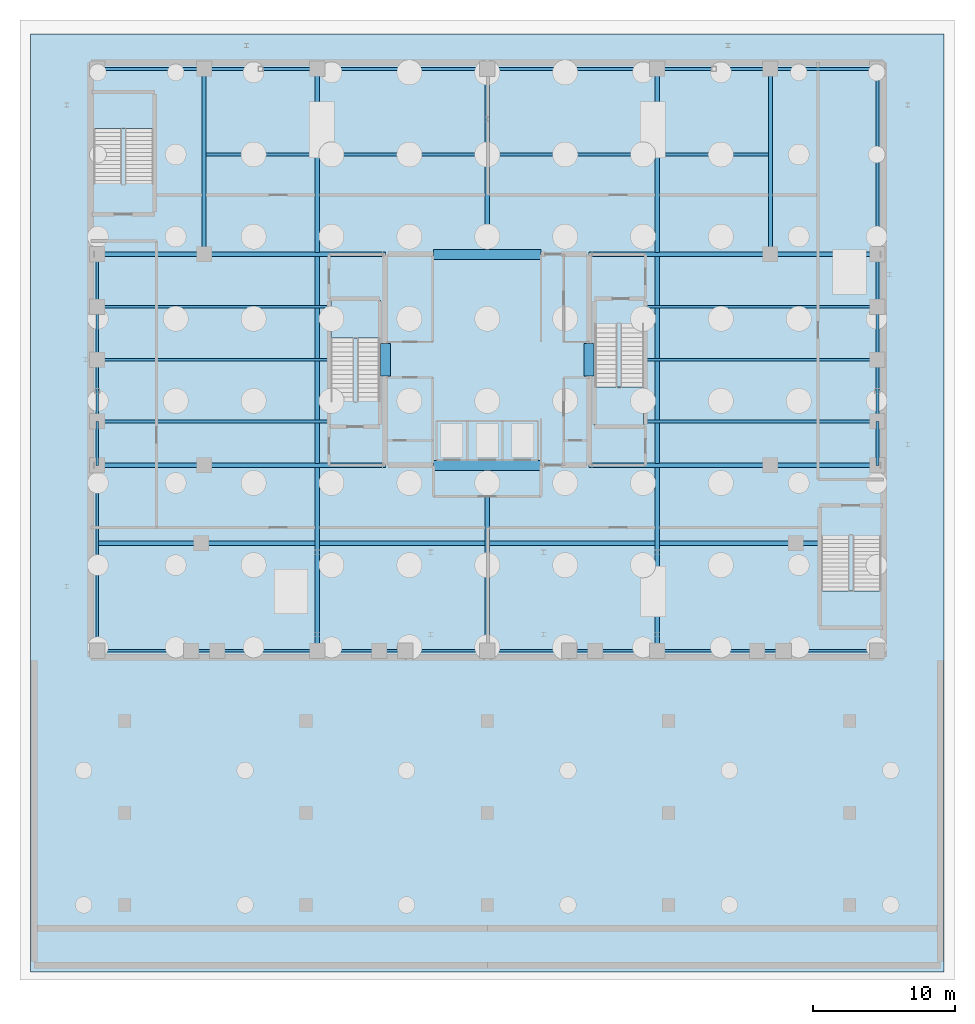
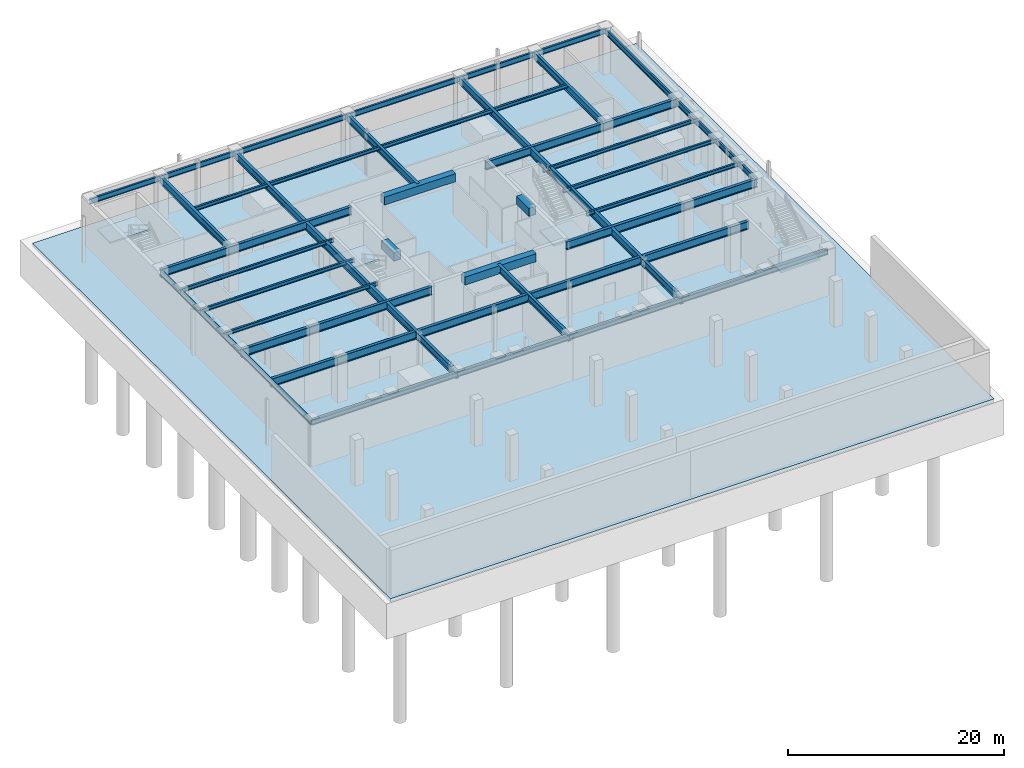
# One storey, part 8 of 18: 46 beams, 5 slabs, 4 elements without a shape of their own.
"""IFC4 building model written with IfcOpenShell, lengths in metres."""

from ifc_helpers import new_model, si_unit, direction, frame, origin, origin_2d, place, context, subcontext, project, spatial, polyline, rectangle, i_section, outline, extrude, material, layer, layer_set, material_profile, profile_set, type_object, element, aggregate, save


model = new_model("IFC4")

# Units and contexts
model_context = context("Model", 3, precision=1e-05, world=origin(), true_north=direction((0.0, 1.0)))
body_context = subcontext(model_context, "Body", "Model", "MODEL_VIEW")
ifc_project = project(units=[si_unit("LENGTHUNIT", "METRE"), si_unit("AREAUNIT", "SQUARE_METRE"), si_unit("VOLUMEUNIT", "CUBIC_METRE"), si_unit("PLANEANGLEUNIT", "RADIAN"), si_unit("MASSUNIT", "GRAM", prefix="KILO")], contexts=[model_context])

# Site, building, storey
site_placement = place(None, origin())
site = spatial("IfcSite", under=ifc_project, at=site_placement, CompositionType="ELEMENT")
building_placement = place(site_placement, origin())
building = spatial("IfcBuilding", under=site, at=building_placement, Name="Veldorina Hangang Commons", CompositionType="ELEMENT")
storey_placement = place(building_placement, frame((0.0, 0.0, -10.39990234375)))
storey = spatial("IfcBuildingStorey", under=building, at=storey_placement, Name="B02", CompositionType="ELEMENT", Elevation=-10.39990234375)

# Beams
ifc_material_1 = material(Name="Concrete C70/85", Category="concrete")
ifc_material_profile_1 = material_profile(ifc_material_1, rectangle(XDim=0.699951171875, YDim=0.89990234375, at=origin_2d()), Name="RC-CB-700x900")
ifc_profile_set_1 = profile_set([ifc_material_profile_1], Name="Concrete C70/85")
beam_type_1 = type_object("IfcBeamType", Name="BM-CB900", PredefinedType="LINTEL", material=ifc_profile_set_1)
for number, where, z_axis, x_axis, name in (
    (1, (24.800048828125, 22.85009765625, 4.429931640625), (0.0, 1.0, 0.0), (-1.0, 0.0, 0.0), "B02 W core coupling lintel beam"),
    (2, (39.199951171875, 22.85009765625, 4.429931640625), (0.0, 1.0, 0.0), (-1.0, 0.0, 0.0), "B02 E core coupling lintel beam"),
):
    element("IfcBeam", number, at=place(storey_placement, frame(where, z_axis=z_axis, x_axis=x_axis)), inside=storey, type_object=beam_type_1, Name=name, PredefinedType="LINTEL", context=body_context, shape_type="SweptSolid", body=[
        extrude(rectangle(XDim=0.699951171875, YDim=0.89990234375, at=origin_2d()), origin(), (0.0, 0.0, 1.0), 2.2998046875),
    ])
for number, where, z_axis, x_axis, name in (
    (3, (28.199951171875, 16.550048828125, 4.429931640625), (1.0, 0.0, 0.0), (0.0, 1.0, 0.0), "B02 south core coupling beam"),
    (4, (28.199951171875, 31.449951171875, 4.429931640625), (1.0, 0.0, 0.0), (0.0, 1.0, 0.0), "B02 north core coupling beam"),
):
    element("IfcBeam", number, at=place(storey_placement, frame(where, z_axis=z_axis, x_axis=x_axis)), inside=storey, type_object=beam_type_1, Name=name, PredefinedType="LINTEL", context=body_context, shape_type="SweptSolid", body=[
        extrude(rectangle(XDim=0.699951171875, YDim=0.89990234375, at=origin_2d()), origin(), (0.0, 0.0, 1.0), 7.60009765625),
    ])
ifc_material_2 = material(Name="Steel SM355-TMC", Category="steel")
ifc_material_profile_2 = material_profile(ifc_material_2, i_section(OverallWidth=0.199951171875, OverallDepth=0.39990234375, WebThickness=0.008056640625, FlangeThickness=0.012939453125, FilletRadius=0.012939453125, at=origin_2d()), Name="H-400x200x8x13")
ifc_profile_set_2 = profile_set([ifc_material_profile_2], Name="Steel SM355-TMC")
beam_type_2 = type_object("IfcBeamType", Name="BM-JST400", PredefinedType="JOIST", material=ifc_profile_set_2)
for number, where, z_axis, x_axis, name in (
    (5, (4.449951171875, 19.64990234375, 4.679931640625), (1.0, 0.0, 0.0), (0.0, 1.0, 0.0), "B02 west floor joist 1"),
    (6, (43.179931640625, 19.64990234375, 4.679931640625), (1.0, 0.0, 0.0), (0.0, 1.0, 0.0), "B02 east floor joist 1"),
    (7, (4.449951171875, 24.0, 4.679931640625), (1.0, 0.0, 0.0), (0.0, 1.0, 0.0), "B02 west floor joist 2"),
    (8, (43.179931640625, 24.0, 4.679931640625), (1.0, 0.0, 0.0), (0.0, 1.0, 0.0), "B02 east floor joist 2"),
    (9, (4.449951171875, 27.75, 4.679931640625), (1.0, 0.0, 0.0), (0.0, 1.0, 0.0), "B02 west floor joist 3"),
    (10, (43.179931640625, 27.75, 4.679931640625), (1.0, 0.0, 0.0), (0.0, 1.0, 0.0), "B02 east floor joist 3"),
):
    element("IfcBeam", number, at=place(storey_placement, frame(where, z_axis=z_axis, x_axis=x_axis)), inside=storey, type_object=beam_type_2, Name=name, PredefinedType="JOIST", context=body_context, shape_type="SweptSolid", body=[
        extrude(i_section(OverallWidth=0.199951171875, OverallDepth=0.39990234375, WebThickness=0.008056640625, FlangeThickness=0.012939453125, FilletRadius=0.012939453125, at=origin_2d()), origin(), (0.0, 0.0, 1.0), 16.3701171875),
    ])
beam_1_placement = place(storey_placement, frame((12.0, 38.5, 4.679931640625), z_axis=(1.0, 0.0, 0.0), x_axis=(0.0, 1.0, 0.0)))
element("IfcBeam", 11, at=beam_1_placement, inside=storey, type_object=beam_type_2, Name="B02 north floor joist 4", PredefinedType="JOIST", context=body_context, shape_type="SweptSolid", body=[
    extrude(i_section(OverallWidth=0.199951171875, OverallDepth=0.39990234375, WebThickness=0.008056640625, FlangeThickness=0.012939453125, FilletRadius=0.012939453125, at=origin_2d()), origin(), (0.0, 0.0, 1.0), 40.0),
])
ifc_material_3 = material(Name="Steel SM460-TMC", Category="steel")
ifc_material_profile_3 = material_profile(ifc_material_3, i_section(OverallWidth=0.300048828125, OverallDepth=0.800048828125, WebThickness=0.013916015625, FlangeThickness=0.02587890625, FilletRadius=0.02197265625, at=origin_2d()), Name="H-800x300x14x26")
ifc_profile_set_3 = profile_set([ifc_material_profile_3], Name="Steel SM460-TMC")
beam_type_3 = type_object("IfcBeamType", Name="BM-PG800", PredefinedType="BEAM", material=ifc_profile_set_3)
for number, where, z_axis, x_axis, name in (
    (12, (12.0, 31.590087890625, 4.47998046875), (0.0, 1.0, 0.0), (-1.0, 0.0, 0.0), "B02 north primary girder G2"),
    (13, (20.0, 31.590087890625, 4.47998046875), (0.0, 1.0, 0.0), (-1.0, 0.0, 0.0), "B02 north primary girder G3"),
    (14, (20.0, 3.449951171875, 4.47998046875), (0.0, 1.0, 0.0), (-1.0, 0.0, 0.0), "B02 south primary girder G3"),
):
    element("IfcBeam", number, at=place(storey_placement, frame(where, z_axis=z_axis, x_axis=x_axis)), inside=storey, type_object=beam_type_3, Name=name, PredefinedType="BEAM", context=body_context, shape_type="SweptSolid", body=[
        extrude(i_section(OverallWidth=0.300048828125, OverallDepth=0.800048828125, WebThickness=0.013916015625, FlangeThickness=0.02587890625, FilletRadius=0.02197265625, at=origin_2d()), origin(), (0.0, 0.0, 1.0), 12.9599609375),
    ])
for number, where, z_axis, x_axis, name in (
    (15, (32.0, 31.449951171875, 4.47998046875), (0.0, 1.0, 0.0), (-1.0, 0.0, 0.0), "B02 north primary girder G5"),
    (16, (32.0, 3.449951171875, 4.47998046875), (0.0, 1.0, 0.0), (-1.0, 0.0, 0.0), "B02 south primary girder G5"),
):
    element("IfcBeam", number, at=place(storey_placement, frame(where, z_axis=z_axis, x_axis=x_axis)), inside=storey, type_object=beam_type_3, Name=name, PredefinedType="BEAM", context=body_context, shape_type="SweptSolid", body=[
        extrude(i_section(OverallWidth=0.300048828125, OverallDepth=0.800048828125, WebThickness=0.013916015625, FlangeThickness=0.02587890625, FilletRadius=0.02197265625, at=origin_2d()), origin(), (0.0, 0.0, 1.0), 13.10009765625),
    ])
for number, where, z_axis, x_axis, name in (
    (17, (44.0, 31.590087890625, 4.47998046875), (0.0, 1.0, 0.0), (-1.0, 0.0, 0.0), "B02 north primary girder G7"),
    (18, (44.0, 3.449951171875, 4.47998046875), (0.0, 1.0, 0.0), (-1.0, 0.0, 0.0), "B02 south primary girder G7"),
    (19, (52.0, 31.590087890625, 4.47998046875), (0.0, 1.0, 0.0), (-1.0, 0.0, 0.0), "B02 north primary girder G8"),
):
    element("IfcBeam", number, at=place(storey_placement, frame(where, z_axis=z_axis, x_axis=x_axis)), inside=storey, type_object=beam_type_3, Name=name, PredefinedType="BEAM", context=body_context, shape_type="SweptSolid", body=[
        extrude(i_section(OverallWidth=0.300048828125, OverallDepth=0.800048828125, WebThickness=0.013916015625, FlangeThickness=0.02587890625, FilletRadius=0.02197265625, at=origin_2d()), origin(), (0.0, 0.0, 1.0), 12.9599609375),
    ])
ifc_material_profile_4 = material_profile(ifc_material_3, i_section(OverallWidth=0.300048828125, OverallDepth=0.89990234375, WebThickness=0.01611328125, FlangeThickness=0.028076171875, FilletRadius=0.02197265625, at=origin_2d()), Name="H-900x300x16x28")
ifc_profile_set_4 = profile_set([ifc_material_profile_4], Name="Steel SM460-TMC")
beam_type_4 = type_object("IfcBeamType", Name="BM-PG900", PredefinedType="BEAM", material=ifc_profile_set_4)
for number, where, z_axis, x_axis, name in (
    (20, (4.449951171875, 16.550048828125, 4.429931640625), (1.0, 0.0, 0.0), (0.0, 1.0, 0.0), "B02 west collector girder GD"),
    (21, (39.199951171875, 16.550048828125, 4.429931640625), (1.0, 0.0, 0.0), (0.0, 1.0, 0.0), "B02 east collector girder GD"),
    (22, (4.449951171875, 31.449951171875, 4.429931640625), (1.0, 0.0, 0.0), (0.0, 1.0, 0.0), "B02 west collector girder GF"),
    (23, (39.199951171875, 31.449951171875, 4.429931640625), (1.0, 0.0, 0.0), (0.0, 1.0, 0.0), "B02 east collector girder GF"),
):
    element("IfcBeam", number, at=place(storey_placement, frame(where, z_axis=z_axis, x_axis=x_axis)), inside=storey, type_object=beam_type_4, Name=name, PredefinedType="BEAM", context=body_context, shape_type="SweptSolid", body=[
        extrude(i_section(OverallWidth=0.300048828125, OverallDepth=0.89990234375, WebThickness=0.01611328125, FlangeThickness=0.028076171875, FilletRadius=0.02197265625, at=origin_2d()), origin(), (0.0, 0.0, 1.0), 20.35009765625),
    ])
beam_2_placement = place(storey_placement, frame((4.449951171875, 11.050048828125, 4.429931640625), z_axis=(1.0, 0.0, 0.0), x_axis=(0.0, 1.0, 0.0)))
element("IfcBeam", 24, at=beam_2_placement, inside=storey, type_object=beam_type_4, Name="B02 ramp opening header girder", PredefinedType="BEAM", context=body_context, shape_type="SweptSolid", body=[
    extrude(i_section(OverallWidth=0.300048828125, OverallDepth=0.89990234375, WebThickness=0.01611328125, FlangeThickness=0.028076171875, FilletRadius=0.02197265625, at=origin_2d()), origin(), (0.0, 0.0, 1.0), 51.030029296875),
])
for number, where, z_axis, x_axis, name in (
    (25, (20.0, 16.68994140625, 4.429931640625), (0.0, 1.0, 0.0), (-1.0, 0.0, 0.0), "B02 mid primary girder G3"),
    (26, (44.0, 16.68994140625, 4.429931640625), (0.0, 1.0, 0.0), (-1.0, 0.0, 0.0), "B02 mid primary girder G7"),
):
    element("IfcBeam", number, at=place(storey_placement, frame(where, z_axis=z_axis, x_axis=x_axis)), inside=storey, type_object=beam_type_4, Name=name, PredefinedType="BEAM", context=body_context, shape_type="SweptSolid", body=[
        extrude(i_section(OverallWidth=0.300048828125, OverallDepth=0.89990234375, WebThickness=0.01611328125, FlangeThickness=0.028076171875, FilletRadius=0.02197265625, at=origin_2d()), origin(), (0.0, 0.0, 1.0), 14.6201171875),
    ])
ifc_material_4 = material(Name="Steel SM420-TMC", Category="steel")
ifc_material_profile_5 = material_profile(ifc_material_4, i_section(OverallWidth=0.199951171875, OverallDepth=0.60009765625, WebThickness=0.010986328125, FlangeThickness=0.01708984375, FilletRadius=0.01806640625, at=origin_2d()), Name="H-600x200x11x17")
ifc_profile_set_5 = profile_set([ifc_material_profile_5], Name="Steel SM420-TMC")
beam_type_5 = type_object("IfcBeamType", Name="BM-SPN600", PredefinedType="SPANDREL", material=ifc_profile_set_5)
beam_3_placement = place(storey_placement, frame((4.449951171875, 44.550048828125, 4.579833984375), z_axis=(1.0, 0.0, 0.0), x_axis=(0.0, 1.0, 0.0)))
element("IfcBeam", 27, at=beam_3_placement, inside=storey, type_object=beam_type_5, Name="B02 north spandrel beam 1", PredefinedType="SPANDREL", context=body_context, shape_type="SweptSolid", body=[
    extrude(i_section(OverallWidth=0.199951171875, OverallDepth=0.60009765625, WebThickness=0.010986328125, FlangeThickness=0.01708984375, FilletRadius=0.01806640625, at=origin_2d()), origin(), (0.0, 0.0, 1.0), 7.550048828125),
])
beam_4_placement = place(storey_placement, frame((12.0, 44.550048828125, 4.579833984375), z_axis=(1.0, 0.0, 0.0), x_axis=(0.0, 1.0, 0.0)))
element("IfcBeam", 28, at=beam_4_placement, inside=storey, type_object=beam_type_5, Name="B02 north spandrel beam 2", PredefinedType="SPANDREL", context=body_context, shape_type="SweptSolid", body=[
    extrude(i_section(OverallWidth=0.199951171875, OverallDepth=0.60009765625, WebThickness=0.010986328125, FlangeThickness=0.01708984375, FilletRadius=0.01806640625, at=origin_2d()), origin(), (0.0, 0.0, 1.0), 8.0),
])
for number, where, z_axis, x_axis, name in (
    (29, (20.0, 44.550048828125, 4.579833984375), (1.0, 0.0, 0.0), (0.0, 1.0, 0.0), "B02 north spandrel beam 3"),
    (30, (32.0, 44.550048828125, 4.579833984375), (1.0, 0.0, 0.0), (0.0, 1.0, 0.0), "B02 north spandrel beam 4"),
):
    element("IfcBeam", number, at=place(storey_placement, frame(where, z_axis=z_axis, x_axis=x_axis)), inside=storey, type_object=beam_type_5, Name=name, PredefinedType="SPANDREL", context=body_context, shape_type="SweptSolid", body=[
        extrude(i_section(OverallWidth=0.199951171875, OverallDepth=0.60009765625, WebThickness=0.010986328125, FlangeThickness=0.01708984375, FilletRadius=0.01806640625, at=origin_2d()), origin(), (0.0, 0.0, 1.0), 12.0),
    ])
beam_5_placement = place(storey_placement, frame((44.0, 44.550048828125, 4.579833984375), z_axis=(1.0, 0.0, 0.0), x_axis=(0.0, 1.0, 0.0)))
element("IfcBeam", 31, at=beam_5_placement, inside=storey, type_object=beam_type_5, Name="B02 north spandrel beam 5", PredefinedType="SPANDREL", context=body_context, shape_type="SweptSolid", body=[
    extrude(i_section(OverallWidth=0.199951171875, OverallDepth=0.60009765625, WebThickness=0.010986328125, FlangeThickness=0.01708984375, FilletRadius=0.01806640625, at=origin_2d()), origin(), (0.0, 0.0, 1.0), 8.0),
])
beam_6_placement = place(storey_placement, frame((52.0, 44.550048828125, 4.579833984375), z_axis=(1.0, 0.0, 0.0), x_axis=(0.0, 1.0, 0.0)))
element("IfcBeam", 32, at=beam_6_placement, inside=storey, type_object=beam_type_5, Name="B02 north spandrel beam 6", PredefinedType="SPANDREL", context=body_context, shape_type="SweptSolid", body=[
    extrude(i_section(OverallWidth=0.199951171875, OverallDepth=0.60009765625, WebThickness=0.010986328125, FlangeThickness=0.01708984375, FilletRadius=0.01806640625, at=origin_2d()), origin(), (0.0, 0.0, 1.0), 7.550048828125),
])
beam_7_placement = place(storey_placement, frame((4.449951171875, 3.449951171875, 4.579833984375), z_axis=(1.0, 0.0, 0.0), x_axis=(0.0, 1.0, 0.0)))
element("IfcBeam", 33, at=beam_7_placement, inside=storey, type_object=beam_type_5, Name="B02 south spandrel beam 1", PredefinedType="SPANDREL", context=body_context, shape_type="SweptSolid", body=[
    extrude(i_section(OverallWidth=0.199951171875, OverallDepth=0.60009765625, WebThickness=0.010986328125, FlangeThickness=0.01708984375, FilletRadius=0.01806640625, at=origin_2d()), origin(), (0.0, 0.0, 1.0), 15.550048828125),
])
for number, where, z_axis, x_axis, name in (
    (34, (20.0, 3.449951171875, 4.579833984375), (1.0, 0.0, 0.0), (0.0, 1.0, 0.0), "B02 south spandrel beam 2"),
    (35, (32.0, 3.449951171875, 4.579833984375), (1.0, 0.0, 0.0), (0.0, 1.0, 0.0), "B02 south spandrel beam 3"),
):
    element("IfcBeam", number, at=place(storey_placement, frame(where, z_axis=z_axis, x_axis=x_axis)), inside=storey, type_object=beam_type_5, Name=name, PredefinedType="SPANDREL", context=body_context, shape_type="SweptSolid", body=[
        extrude(i_section(OverallWidth=0.199951171875, OverallDepth=0.60009765625, WebThickness=0.010986328125, FlangeThickness=0.01708984375, FilletRadius=0.01806640625, at=origin_2d()), origin(), (0.0, 0.0, 1.0), 12.0),
    ])
beam_8_placement = place(storey_placement, frame((44.0, 3.449951171875, 4.579833984375), z_axis=(1.0, 0.0, 0.0), x_axis=(0.0, 1.0, 0.0)))
element("IfcBeam", 36, at=beam_8_placement, inside=storey, type_object=beam_type_5, Name="B02 south spandrel beam 4", PredefinedType="SPANDREL", context=body_context, shape_type="SweptSolid", body=[
    extrude(i_section(OverallWidth=0.199951171875, OverallDepth=0.60009765625, WebThickness=0.010986328125, FlangeThickness=0.01708984375, FilletRadius=0.01806640625, at=origin_2d()), origin(), (0.0, 0.0, 1.0), 15.550048828125),
])
beam_9_placement = place(storey_placement, frame((4.449951171875, 3.449951171875, 4.579833984375), z_axis=(0.0, 1.0, 0.0), x_axis=(-1.0, 0.0, 0.0)))
element("IfcBeam", 37, at=beam_9_placement, inside=storey, type_object=beam_type_5, Name="B02 west spandrel beam 1", PredefinedType="SPANDREL", context=body_context, shape_type="SweptSolid", body=[
    extrude(i_section(OverallWidth=0.199951171875, OverallDepth=0.60009765625, WebThickness=0.010986328125, FlangeThickness=0.01708984375, FilletRadius=0.01806640625, at=origin_2d()), origin(), (0.0, 0.0, 1.0), 13.10009765625),
])
for number, where, z_axis, x_axis, name in (
    (38, (4.449951171875, 16.550048828125, 4.579833984375), (0.0, 1.0, 0.0), (-1.0, 0.0, 0.0), "B02 west spandrel beam 2"),
    (39, (59.550048828125, 16.550048828125, 4.579833984375), (0.0, 1.0, 0.0), (-1.0, 0.0, 0.0), "B02 east spandrel beam 2"),
):
    element("IfcBeam", number, at=place(storey_placement, frame(where, z_axis=z_axis, x_axis=x_axis)), inside=storey, type_object=beam_type_5, Name=name, PredefinedType="SPANDREL", context=body_context, shape_type="SweptSolid", body=[
        extrude(i_section(OverallWidth=0.199951171875, OverallDepth=0.60009765625, WebThickness=0.010986328125, FlangeThickness=0.01708984375, FilletRadius=0.01806640625, at=origin_2d()), origin(), (0.0, 0.0, 1.0), 3.099853515625),
    ])
for number, where, z_axis, x_axis, name in (
    (40, (4.449951171875, 19.64990234375, 4.579833984375), (0.0, 1.0, 0.0), (-1.0, 0.0, 0.0), "B02 west spandrel beam 3"),
    (41, (59.550048828125, 19.64990234375, 4.579833984375), (0.0, 1.0, 0.0), (-1.0, 0.0, 0.0), "B02 east spandrel beam 3"),
):
    element("IfcBeam", number, at=place(storey_placement, frame(where, z_axis=z_axis, x_axis=x_axis)), inside=storey, type_object=beam_type_5, Name=name, PredefinedType="SPANDREL", context=body_context, shape_type="SweptSolid", body=[
        extrude(i_section(OverallWidth=0.199951171875, OverallDepth=0.60009765625, WebThickness=0.010986328125, FlangeThickness=0.01708984375, FilletRadius=0.01806640625, at=origin_2d()), origin(), (0.0, 0.0, 1.0), 4.35009765625),
    ])
for number, where, z_axis, x_axis, name in (
    (42, (4.449951171875, 24.0, 4.579833984375), (0.0, 1.0, 0.0), (-1.0, 0.0, 0.0), "B02 west spandrel beam 4"),
    (43, (59.550048828125, 24.0, 4.579833984375), (0.0, 1.0, 0.0), (-1.0, 0.0, 0.0), "B02 east spandrel beam 4"),
):
    element("IfcBeam", number, at=place(storey_placement, frame(where, z_axis=z_axis, x_axis=x_axis)), inside=storey, type_object=beam_type_5, Name=name, PredefinedType="SPANDREL", context=body_context, shape_type="SweptSolid", body=[
        extrude(i_section(OverallWidth=0.199951171875, OverallDepth=0.60009765625, WebThickness=0.010986328125, FlangeThickness=0.01708984375, FilletRadius=0.01806640625, at=origin_2d()), origin(), (0.0, 0.0, 1.0), 3.75),
    ])
for number, where, z_axis, x_axis, name in (
    (44, (4.449951171875, 27.75, 4.579833984375), (0.0, 1.0, 0.0), (-1.0, 0.0, 0.0), "B02 west spandrel beam 5"),
    (45, (59.550048828125, 27.75, 4.579833984375), (0.0, 1.0, 0.0), (-1.0, 0.0, 0.0), "B02 east spandrel beam 5"),
):
    element("IfcBeam", number, at=place(storey_placement, frame(where, z_axis=z_axis, x_axis=x_axis)), inside=storey, type_object=beam_type_5, Name=name, PredefinedType="SPANDREL", context=body_context, shape_type="SweptSolid", body=[
        extrude(i_section(OverallWidth=0.199951171875, OverallDepth=0.60009765625, WebThickness=0.010986328125, FlangeThickness=0.01708984375, FilletRadius=0.01806640625, at=origin_2d()), origin(), (0.0, 0.0, 1.0), 3.699951171875),
    ])
beam_10_placement = place(storey_placement, frame((59.550048828125, 31.449951171875, 4.579833984375), z_axis=(0.0, 1.0, 0.0), x_axis=(-1.0, 0.0, 0.0)))
element("IfcBeam", 46, at=beam_10_placement, inside=storey, type_object=beam_type_5, Name="B02 east spandrel beam 6", PredefinedType="SPANDREL", context=body_context, shape_type="SweptSolid", body=[
    extrude(i_section(OverallWidth=0.199951171875, OverallDepth=0.60009765625, WebThickness=0.010986328125, FlangeThickness=0.01708984375, FilletRadius=0.01806640625, at=origin_2d()), origin(), (0.0, 0.0, 1.0), 13.10009765625),
])

# Slab
ifc_material_5 = material(Name="Concrete C40/50", Category="concrete")
ifc_layer_1 = layer(ifc_material_5, 0.35009765625)
ifc_layer_set_1 = layer_set([ifc_layer_1], Name="Concrete C40/50")
slab_type_1 = type_object("IfcSlabType", Name="SL-BASE-350", PredefinedType="BASESLAB", material=ifc_layer_set_1)
slab_1_placement = place(storey_placement, frame((0.0, 0.0, -0.35009765625)))
element("IfcSlab", 47, at=slab_1_placement, inside=storey, type_object=slab_type_1, Name="B02 basement structural base slab", PredefinedType="BASESLAB", context=body_context, shape_type="SweptSolid", body=[
    extrude(outline(polyline([(-0.25, -19.25), (64.25, -19.25), (64.25, 47.0), (-0.25, 47.0), (-0.25, -19.25)])), origin(), (0.0, 0.0, 1.0), 0.35009765625),
])

# Stair, slab
stair_type_1 = type_object("IfcStairType", Name="STR-DOG-1650-30R", PredefinedType="HALF_TURN_STAIR", material=ifc_material_5)
stair_1_placement = place(storey_placement, origin())
stair_1 = element("IfcStair", 48, at=stair_1_placement, inside=storey, type_object=stair_type_1, Name="B02 Exit stair ST-1", PredefinedType="HALF_TURN_STAIR")
ifc_layer_2 = layer(ifc_material_5, 0.199951171875)
ifc_layer_set_2 = layer_set([ifc_layer_2], Name="Concrete C40/50")
slab_type_2 = type_object("IfcSlabType", Name="SL-LND-200", PredefinedType="LANDING", material=ifc_layer_set_2)
slab_2_placement = place(storey_placement, frame((0.0, 0.0, 2.39990234375)))
slab_2 = element("IfcSlab", 49, at=slab_2_placement, type_object=slab_type_2, Name="ST-1 landing 1", PredefinedType="LANDING", context=body_context, shape_type="SweptSolid", body=[
    extrude(outline(polyline([(24.449951171875, 25.530029296875), (24.449951171875, 28.199951171875), (20.949951171875, 28.199951171875), (20.949951171875, 25.530029296875), (24.449951171875, 25.530029296875)])), origin(), (0.0, 0.0, 1.0), 0.199951171875),
])
aggregate(stair_1, [slab_2])

stair_2_placement = place(storey_placement, origin())
stair_2 = element("IfcStair", 50, at=stair_2_placement, inside=storey, type_object=stair_type_1, Name="B02 Exit stair ST-2", PredefinedType="HALF_TURN_STAIR")
slab_3_placement = place(storey_placement, frame((0.0, 0.0, 2.39990234375)))
slab_3 = element("IfcSlab", 51, at=slab_3_placement, type_object=slab_type_2, Name="ST-2 landing 1", PredefinedType="LANDING", context=body_context, shape_type="SweptSolid", body=[
    extrude(outline(polyline([(39.550048828125, 22.070068359375), (39.550048828125, 19.39990234375), (43.050048828125, 19.39990234375), (43.050048828125, 22.070068359375), (39.550048828125, 22.070068359375)])), origin(), (0.0, 0.0, 1.0), 0.199951171875),
])
aggregate(stair_2, [slab_3])

stair_type_2 = type_object("IfcStairType", Name="STR-DOG-2000-30R", PredefinedType="HALF_TURN_STAIR", material=ifc_material_5)
stair_3_placement = place(storey_placement, origin())
stair_3 = element("IfcStair", 52, at=stair_3_placement, inside=storey, type_object=stair_type_2, Name="B02 Exit stair ST-P1", PredefinedType="HALF_TURN_STAIR")
slab_4_placement = place(storey_placement, frame((0.0, 0.0, 2.39990234375)))
slab_4 = element("IfcSlab", 53, at=slab_4_placement, type_object=slab_type_2, Name="ST-P1 landing 1", PredefinedType="LANDING", context=body_context, shape_type="SweptSolid", body=[
    extrude(outline(polyline([(8.39990234375, 40.320068359375), (8.39990234375, 42.800048828125), (4.199951171875, 42.800048828125), (4.199951171875, 40.320068359375), (8.39990234375, 40.320068359375)])), origin(), (0.0, 0.0, 1.0), 0.199951171875),
])
aggregate(stair_3, [slab_4])

stair_4_placement = place(storey_placement, origin())
stair_4 = element("IfcStair", 54, at=stair_4_placement, inside=storey, type_object=stair_type_2, Name="B02 Exit stair ST-P2", PredefinedType="HALF_TURN_STAIR")
slab_5_placement = place(storey_placement, frame((0.0, 0.0, 2.39990234375)))
slab_5 = element("IfcSlab", 55, at=slab_5_placement, type_object=slab_type_2, Name="ST-P2 landing 1", PredefinedType="LANDING", context=body_context, shape_type="SweptSolid", body=[
    extrude(outline(polyline([(55.60009765625, 7.679931640625), (55.60009765625, 5.199951171875), (59.800048828125, 5.199951171875), (59.800048828125, 7.679931640625), (55.60009765625, 7.679931640625)])), origin(), (0.0, 0.0, 1.0), 0.199951171875),
])
aggregate(stair_4, [slab_5])

save(model, "model.ifc")
